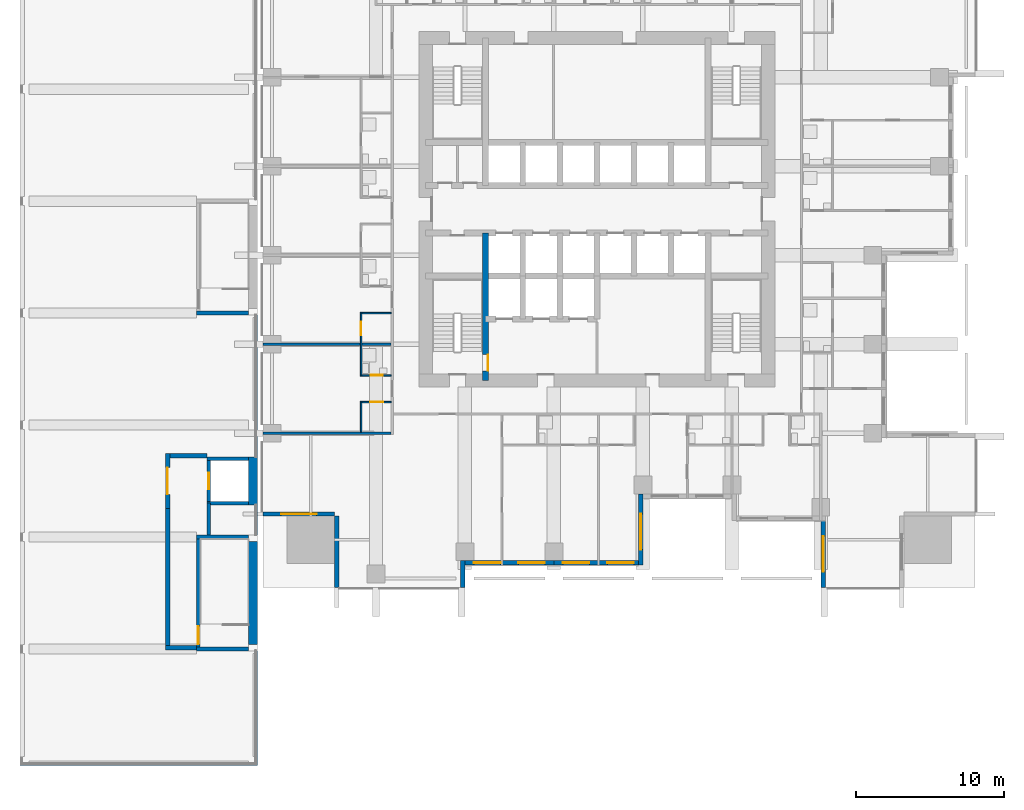
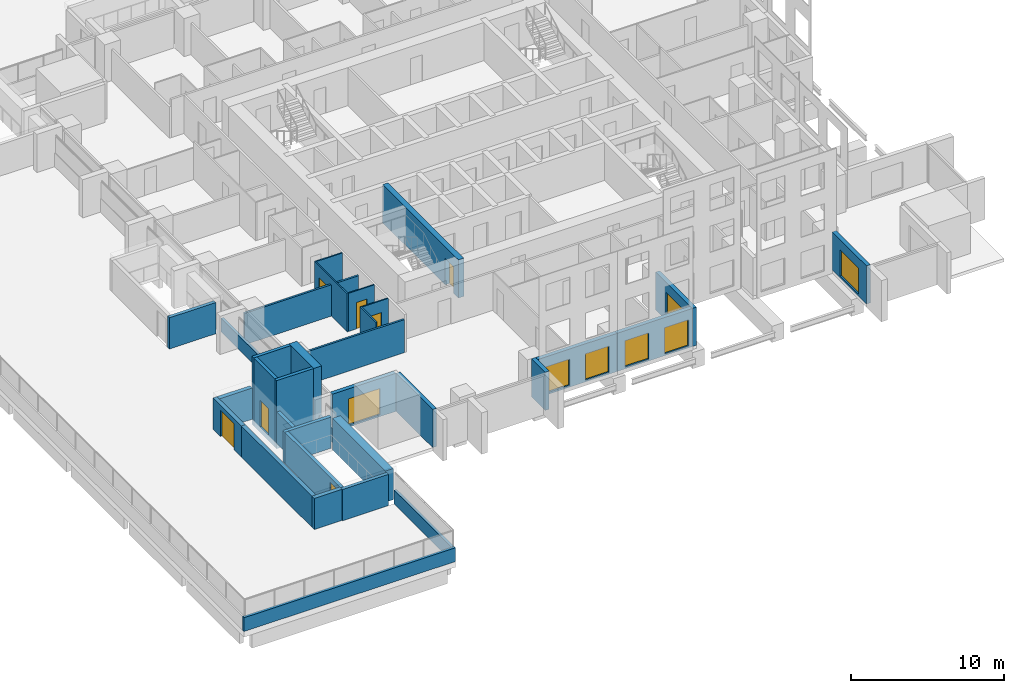
# One storey, part 4 of 15: 33 walls, 7 doors, 7 windows, 14 openings.
"""IFC4 building model written with IfcOpenShell, lengths in metres."""

from ifc_helpers import new_model, si_unit, direction, frame, frame_2d, origin, place, context, subcontext, project, spatial, rectangle, extrude, material, layer, layer_set, type_object, element, fill, save


model = new_model("IFC4")

# Units and contexts
model_context = context("Model", 3, precision=1e-05, world=origin(), true_north=direction((0.0, 1.0)))
body_context = subcontext(model_context, "Body", "Model", "MODEL_VIEW")
ifc_project = project(units=[si_unit("LENGTHUNIT", "METRE"), si_unit("AREAUNIT", "SQUARE_METRE"), si_unit("VOLUMEUNIT", "CUBIC_METRE"), si_unit("PLANEANGLEUNIT", "RADIAN"), si_unit("MASSUNIT", "GRAM", prefix="KILO")], contexts=[model_context])

# Site, building, storey
site_placement = place(None, origin())
site = spatial("IfcSite", under=ifc_project, at=site_placement, CompositionType="ELEMENT")
building_placement = place(site_placement, origin())
building = spatial("IfcBuilding", under=site, at=building_placement, Name="Amberfall Residences", CompositionType="ELEMENT")
storey_placement = place(building_placement, frame((0.0, 0.0, 23.5)))
storey = spatial("IfcBuildingStorey", under=building, at=storey_placement, Name="L05", CompositionType="ELEMENT", Elevation=23.5)

# Wall
ifc_material_1 = material(Name="Pale stone cladding on insulated backing", Category="masonry")
ifc_layer_1 = layer(ifc_material_1, 0.300048828125)
ifc_layer_set_1 = layer_set([ifc_layer_1], Name="Bronze clad wall 300")
wall_type_1 = type_object("IfcWallType", Name="Bronze clad wall 300", PredefinedType="SOLIDWALL", material=ifc_layer_set_1)
wall_1_placement = place(storey_placement, frame((65.449951171875, 20.0, 0.0), z_axis=(0.0, 0.0, 1.0), x_axis=(0.0, 1.0, 0.0)))
element("IfcWall", 1, at=wall_1_placement, inside=storey, type_object=wall_type_1, Name="External wall L05 S", PredefinedType="SOLIDWALL", context=body_context, shape_type="SweptSolid", body=[
    extrude(rectangle(XDim=1.800048828125, YDim=0.300048828125, at=frame_2d((0.89990234375, 0.0))), origin(), (0.0, 0.0, 1.0), 3.050048828125),
])

# Wall, opening, window
wall_2_placement = place(storey_placement, frame((77.449951171875, 21.5, 0.0), z_axis=(0.0, 0.0, 1.0), x_axis=(0.0, 1.0, 0.0)))
wall_2 = element("IfcWall", 2, at=wall_2_placement, inside=storey, type_object=wall_type_1, Name="External wall L05 S", PredefinedType="SOLIDWALL", context=body_context, shape_type="SweptSolid", body=[
    extrude(rectangle(XDim=4.800048828125, YDim=0.300048828125, at=frame_2d((2.39990234375, 0.0))), origin(), (0.0, 0.0, 1.0), 3.050048828125),
])
opening_1_placement = place(wall_2_placement, frame((1.050048828125, 0.0, 0.14990234375)))
opening_1 = element("IfcOpeningElement", 3, at=opening_1_placement, cuts=wall_2, Name="Opening WN5", PredefinedType="OPENING", context=body_context, shape_type="SweptSolid", body=[
    extrude(rectangle(XDim=2.39990234375, YDim=2.10009765625, at=frame_2d((1.199951171875, 1.050048828125))), frame((0.0, 0.159912109375, 0.0), z_axis=(0.0, -1.0, 0.0), x_axis=(1.0, 0.0, 0.0)), (0.0, 0.0, 1.0), 0.320068359375),
])
ifc_material_2 = material(Name="Bronze aluminium framed glazing", Category="aluminium")
window_type_1 = type_object("IfcWindowType", Name="Glazed opening 2400 x 2100 bronze", PartitioningType="DOUBLE_PANEL_VERTICAL", PredefinedType="WINDOW", material=ifc_material_2)
window_1_placement = place(opening_1_placement, origin())
window_1 = element("IfcWindow", 4, at=window_1_placement, inside=storey, type_object=window_type_1, Name="Window L05 S", OverallHeight=2.10009765625, OverallWidth=2.39990234375, PartitioningType="DOUBLE_PANEL_VERTICAL", PredefinedType="WINDOW", context=body_context, shape_type="SweptSolid", body=[
    extrude(rectangle(XDim=2.39990234375, YDim=2.10009765625, at=frame_2d((1.199951171875, 1.050048828125))), frame((0.0, 0.030029296875, 0.0), z_axis=(0.0, -1.0, 0.0), x_axis=(1.0, 0.0, 0.0)), (0.0, 0.0, 1.0), 0.06005859375),
])
fill(opening_1, window_1)

wall_3_placement = place(storey_placement, frame((89.75, 24.5, 0.0), z_axis=(0.0, 0.0, 1.0), x_axis=(0.0, -1.0, 0.0)))
wall_3 = element("IfcWall", 5, at=wall_3_placement, inside=storey, type_object=wall_type_1, Name="External wall L05 S", PredefinedType="SOLIDWALL", context=body_context, shape_type="SweptSolid", body=[
    extrude(rectangle(XDim=4.5, YDim=0.300048828125, at=frame_2d((2.25, 0.0))), origin(), (0.0, 0.0, 1.0), 3.050048828125),
])
opening_2_placement = place(wall_3_placement, frame((1.050048828125, 0.0, 0.14990234375)))
opening_2 = element("IfcOpeningElement", 6, at=opening_2_placement, cuts=wall_3, Name="Opening WN5", PredefinedType="OPENING", context=body_context, shape_type="SweptSolid", body=[
    extrude(rectangle(XDim=2.39990234375, YDim=2.10009765625, at=frame_2d((1.199951171875, 1.050048828125))), frame((0.0, 0.159912109375, 0.0), z_axis=(0.0, -1.0, 0.0), x_axis=(1.0, 0.0, 0.0)), (0.0, 0.0, 1.0), 0.320068359375),
])
window_2_placement = place(opening_2_placement, origin())
window_2 = element("IfcWindow", 7, at=window_2_placement, inside=storey, type_object=window_type_1, Name="Window L05 S", OverallHeight=2.10009765625, OverallWidth=2.39990234375, PartitioningType="DOUBLE_PANEL_VERTICAL", PredefinedType="WINDOW", context=body_context, shape_type="SweptSolid", body=[
    extrude(rectangle(XDim=2.39990234375, YDim=2.10009765625, at=frame_2d((1.199951171875, 1.050048828125))), frame((0.0, 0.030029296875, 0.0), z_axis=(0.0, -1.0, 0.0), x_axis=(1.0, 0.0, 0.0)), (0.0, 0.0, 1.0), 0.06005859375),
])
fill(opening_2, window_2)

wall_4_placement = place(storey_placement, frame((52.0, 24.949951171875, 0.0), z_axis=(0.0, 0.0, 1.0), x_axis=(1.0, 0.0, 0.0)))
wall_4 = element("IfcWall", 8, at=wall_4_placement, inside=storey, type_object=wall_type_1, Name="External wall L05 SW", PredefinedType="SOLIDWALL", context=body_context, shape_type="SweptSolid", body=[
    extrude(rectangle(XDim=4.800048828125, YDim=0.300048828125, at=frame_2d((2.39990234375, 0.0))), origin(), (0.0, 0.0, 1.0), 3.050048828125),
])
opening_3_placement = place(wall_4_placement, frame((1.199951171875, 0.0, 0.14990234375)))
opening_3 = element("IfcOpeningElement", 9, at=opening_3_placement, cuts=wall_4, Name="Opening WN5", PredefinedType="OPENING", context=body_context, shape_type="SweptSolid", body=[
    extrude(rectangle(XDim=2.39990234375, YDim=2.10009765625, at=frame_2d((1.199951171875, 1.050048828125))), frame((0.0, 0.159912109375, 0.0), z_axis=(0.0, -1.0, 0.0), x_axis=(1.0, 0.0, 0.0)), (0.0, 0.0, 1.0), 0.320068359375),
])
window_3_placement = place(opening_3_placement, origin())
window_3 = element("IfcWindow", 10, at=window_3_placement, inside=storey, type_object=window_type_1, Name="Window L05 SW", OverallHeight=2.10009765625, OverallWidth=2.39990234375, PartitioningType="DOUBLE_PANEL_VERTICAL", PredefinedType="WINDOW", context=body_context, shape_type="SweptSolid", body=[
    extrude(rectangle(XDim=2.39990234375, YDim=2.10009765625, at=frame_2d((1.199951171875, 1.050048828125))), frame((0.0, 0.030029296875, 0.0), z_axis=(0.0, -1.0, 0.0), x_axis=(1.0, 0.0, 0.0)), (0.0, 0.0, 1.0), 0.06005859375),
])
fill(opening_3, window_3)

# Wall
wall_5_placement = place(storey_placement, frame((56.949951171875, 24.800048828125, 0.0), z_axis=(0.0, 0.0, 1.0), x_axis=(0.0, -1.0, 0.0)))
element("IfcWall", 11, at=wall_5_placement, inside=storey, type_object=wall_type_1, Name="External wall L05 SW", PredefinedType="SOLIDWALL", context=body_context, shape_type="SweptSolid", body=[
    extrude(rectangle(XDim=4.800048828125, YDim=0.300048828125, at=frame_2d((2.39990234375, 0.0))), origin(), (0.0, 0.0, 1.0), 3.050048828125),
])

# Wall, openings, windows
wall_6_placement = place(storey_placement, frame((65.60009765625, 21.64990234375, 0.0), z_axis=(0.0, 0.0, 1.0), x_axis=(1.0, 0.0, 0.0)))
wall_6 = element("IfcWall", 12, at=wall_6_placement, inside=storey, type_object=wall_type_1, Name="Stone wall L05 S", PredefinedType="SOLIDWALL", context=body_context, shape_type="SweptSolid", body=[
    extrude(rectangle(XDim=6.0, YDim=0.300048828125, at=frame_2d((3.0, 0.0))), origin(), (0.0, 0.0, 1.0), 3.050048828125),
])
opening_4_placement = place(wall_6_placement, frame((0.60009765625, 0.0, 0.14990234375)))
opening_4 = element("IfcOpeningElement", 13, at=opening_4_placement, cuts=wall_6, Name="Opening WN6", PredefinedType="OPENING", context=body_context, shape_type="SweptSolid", body=[
    extrude(rectangle(XDim=1.800048828125, YDim=2.10009765625, at=frame_2d((0.89990234375, 1.050048828125))), frame((0.0, 0.159912109375, 0.0), z_axis=(0.0, -1.0, 0.0), x_axis=(1.0, 0.0, 0.0)), (0.0, 0.0, 1.0), 0.320068359375),
])
opening_5_placement = place(wall_6_placement, frame((3.60009765625, 0.0, 0.14990234375)))
opening_5 = element("IfcOpeningElement", 14, at=opening_5_placement, cuts=wall_6, Name="Opening WN6", PredefinedType="OPENING", context=body_context, shape_type="SweptSolid", body=[
    extrude(rectangle(XDim=1.800048828125, YDim=2.10009765625, at=frame_2d((0.89990234375, 1.050048828125))), frame((0.0, 0.159912109375, 0.0), z_axis=(0.0, -1.0, 0.0), x_axis=(1.0, 0.0, 0.0)), (0.0, 0.0, 1.0), 0.320068359375),
])
window_type_2 = type_object("IfcWindowType", Name="Glazed opening 1800 x 2100 bronze", PartitioningType="DOUBLE_PANEL_VERTICAL", PredefinedType="WINDOW", material=ifc_material_2)
window_4_placement = place(opening_4_placement, origin())
window_4 = element("IfcWindow", 15, at=window_4_placement, inside=storey, type_object=window_type_2, Name="Window L05 S", OverallHeight=2.10009765625, OverallWidth=1.800048828125, PartitioningType="DOUBLE_PANEL_VERTICAL", PredefinedType="WINDOW", context=body_context, shape_type="SweptSolid", body=[
    extrude(rectangle(XDim=1.800048828125, YDim=2.10009765625, at=frame_2d((0.89990234375, 1.050048828125))), frame((0.0, 0.030029296875, 0.0), z_axis=(0.0, -1.0, 0.0), x_axis=(1.0, 0.0, 0.0)), (0.0, 0.0, 1.0), 0.06005859375),
])
fill(opening_4, window_4)
window_5_placement = place(opening_5_placement, origin())
window_5 = element("IfcWindow", 16, at=window_5_placement, inside=storey, type_object=window_type_2, Name="Window L05 S", OverallHeight=2.10009765625, OverallWidth=1.800048828125, PartitioningType="DOUBLE_PANEL_VERTICAL", PredefinedType="WINDOW", context=body_context, shape_type="SweptSolid", body=[
    extrude(rectangle(XDim=1.800048828125, YDim=2.10009765625, at=frame_2d((0.89990234375, 1.050048828125))), frame((0.0, 0.030029296875, 0.0), z_axis=(0.0, -1.0, 0.0), x_axis=(1.0, 0.0, 0.0)), (0.0, 0.0, 1.0), 0.06005859375),
])
fill(opening_5, window_5)

wall_7_placement = place(storey_placement, frame((71.60009765625, 21.64990234375, 0.0), z_axis=(0.0, 0.0, 1.0), x_axis=(1.0, 0.0, 0.0)))
wall_7 = element("IfcWall", 17, at=wall_7_placement, inside=storey, type_object=wall_type_1, Name="Stone wall L05 S", PredefinedType="SOLIDWALL", context=body_context, shape_type="SweptSolid", body=[
    extrude(rectangle(XDim=5.699951171875, YDim=0.300048828125, at=frame_2d((2.85009765625, 0.0))), origin(), (0.0, 0.0, 1.0), 3.050048828125),
])
opening_6_placement = place(wall_7_placement, frame((0.60009765625, 0.0, 0.14990234375)))
opening_6 = element("IfcOpeningElement", 18, at=opening_6_placement, cuts=wall_7, Name="Opening WN6", PredefinedType="OPENING", context=body_context, shape_type="SweptSolid", body=[
    extrude(rectangle(XDim=1.800048828125, YDim=2.10009765625, at=frame_2d((0.89990234375, 1.050048828125))), frame((0.0, 0.159912109375, 0.0), z_axis=(0.0, -1.0, 0.0), x_axis=(1.0, 0.0, 0.0)), (0.0, 0.0, 1.0), 0.320068359375),
])
opening_7_placement = place(wall_7_placement, frame((3.60009765625, 0.0, 0.14990234375)))
opening_7 = element("IfcOpeningElement", 19, at=opening_7_placement, cuts=wall_7, Name="Opening WN6", PredefinedType="OPENING", context=body_context, shape_type="SweptSolid", body=[
    extrude(rectangle(XDim=1.800048828125, YDim=2.10009765625, at=frame_2d((0.89990234375, 1.050048828125))), frame((0.0, 0.159912109375, 0.0), z_axis=(0.0, -1.0, 0.0), x_axis=(1.0, 0.0, 0.0)), (0.0, 0.0, 1.0), 0.320068359375),
])
window_6_placement = place(opening_6_placement, origin())
window_6 = element("IfcWindow", 20, at=window_6_placement, inside=storey, type_object=window_type_2, Name="Window L05 S", OverallHeight=2.10009765625, OverallWidth=1.800048828125, PartitioningType="DOUBLE_PANEL_VERTICAL", PredefinedType="WINDOW", context=body_context, shape_type="SweptSolid", body=[
    extrude(rectangle(XDim=1.800048828125, YDim=2.10009765625, at=frame_2d((0.89990234375, 1.050048828125))), frame((0.0, 0.030029296875, 0.0), z_axis=(0.0, -1.0, 0.0), x_axis=(1.0, 0.0, 0.0)), (0.0, 0.0, 1.0), 0.06005859375),
])
fill(opening_6, window_6)
window_7_placement = place(opening_7_placement, origin())
window_7 = element("IfcWindow", 21, at=window_7_placement, inside=storey, type_object=window_type_2, Name="Window L05 S", OverallHeight=2.10009765625, OverallWidth=1.800048828125, PartitioningType="DOUBLE_PANEL_VERTICAL", PredefinedType="WINDOW", context=body_context, shape_type="SweptSolid", body=[
    extrude(rectangle(XDim=1.800048828125, YDim=2.10009765625, at=frame_2d((0.89990234375, 1.050048828125))), frame((0.0, 0.030029296875, 0.0), z_axis=(0.0, -1.0, 0.0), x_axis=(1.0, 0.0, 0.0)), (0.0, 0.0, 1.0), 0.06005859375),
])
fill(opening_7, window_7)

# Wall, opening, door
ifc_material_3 = material(Name="Concrete C80", Category="concrete")
ifc_layer_2 = layer(ifc_material_3, 0.39990234375)
ifc_layer_set_2 = layer_set([ifc_layer_2], Name="Core wall 400 C80")
wall_type_2 = type_object("IfcWallType", Name="Core wall 400 C80", PredefinedType="SHEAR", material=ifc_layer_set_2)
wall_8_placement = place(storey_placement, frame((67.0, 33.949951171875, 0.0), z_axis=(0.0, 0.0, 1.0), x_axis=(0.0, 1.0, 0.0)))
wall_8 = element("IfcWall", 22, at=wall_8_placement, inside=storey, type_object=wall_type_2, Name="Core wall RW2 L05 V45S", PredefinedType="SHEAR", context=body_context, shape_type="SweptSolid", body=[
    extrude(rectangle(XDim=9.949951171875, YDim=0.39990234375, at=frame_2d((4.97509765625, 0.0))), origin(), (0.0, 0.0, 1.0), 3.050048828125),
])
opening_8_placement = place(wall_8_placement, frame((0.64990234375, 0.0, 0.0)))
opening_8 = element("IfcOpeningElement", 23, at=opening_8_placement, cuts=wall_8, Name="Opening FL1", PredefinedType="OPENING", context=body_context, shape_type="SweptSolid", body=[
    extrude(rectangle(XDim=1.10009765625, YDim=2.10009765625, at=frame_2d((0.550048828125, 1.050048828125))), frame((0.0, 0.2099609375, 0.0), z_axis=(0.0, -1.0, 0.0), x_axis=(1.0, 0.0, 0.0)), (0.0, 0.0, 1.0), 0.419921875),
])
ifc_material_4 = material(Name="Steel fire door set", Category="steel")
door_type_1 = type_object("IfcDoorType", Name="Firefighting lobby door 1100 x 2100", OperationType="SINGLE_SWING_LEFT", PredefinedType="DOOR", material=ifc_material_4)
door_1_placement = place(opening_8_placement, origin())
door_1 = element("IfcDoor", 24, at=door_1_placement, inside=storey, type_object=door_type_1, Name="FL1 L05", OperationType="SINGLE_SWING_RIGHT", OverallHeight=2.10009765625, OverallWidth=1.10009765625, PredefinedType="DOOR", context=body_context, shape_type="SweptSolid", body=[
    extrude(rectangle(XDim=1.10009765625, YDim=2.10009765625, at=frame_2d((0.550048828125, 1.050048828125))), frame((0.0, -0.1376953125, 0.0), z_axis=(0.0, -1.0, 0.0), x_axis=(1.0, 0.0, 0.0)), (0.0, 0.0, 1.0), 0.050048828125),
])
fill(opening_8, door_1)

# Wall
ifc_material_5 = material(Name="Gypsum board on metal stud")
ifc_layer_3 = layer(ifc_material_5, 0.10009765625)
ifc_layer_set_3 = layer_set([ifc_layer_3], Name="Flat partition 100")
wall_type_3 = type_object("IfcWallType", Name="Flat partition 100", PredefinedType="PARTITIONING", material=ifc_layer_set_3)
wall_9_placement = place(storey_placement, frame((58.60009765625, 30.47509765625, 0.0), z_axis=(0.0, 0.0, 1.0), x_axis=(0.0, 1.0, 0.0)))
element("IfcWall", 25, at=wall_9_placement, inside=storey, type_object=wall_type_3, Name="Partition 001", PredefinedType="PARTITIONING", context=body_context, shape_type="SweptSolid", body=[
    extrude(rectangle(XDim=2.074951171875, YDim=0.10009765625, at=frame_2d((1.03759765625, 0.0))), origin(), (0.0, 0.0, 1.0), 3.050048828125),
])

# Wall, opening, door
wall_10_placement = place(storey_placement, frame((58.60009765625, 38.550048828125, 0.0), z_axis=(0.0, 0.0, 1.0), x_axis=(0.0, -1.0, 0.0)))
wall_10 = element("IfcWall", 26, at=wall_10_placement, inside=storey, type_object=wall_type_3, Name="Partition 002", PredefinedType="PARTITIONING", context=body_context, shape_type="SweptSolid", body=[
    extrude(rectangle(XDim=4.300048828125, YDim=0.10009765625, at=frame_2d((2.14990234375, 0.0))), origin(), (0.0, 0.0, 1.0), 3.050048828125),
])
opening_9_placement = place(wall_10_placement, frame((0.64990234375, 0.0, 0.0)))
opening_9 = element("IfcOpeningElement", 27, at=opening_9_placement, cuts=wall_10, Name="Opening D41", PredefinedType="OPENING", context=body_context, shape_type="SweptSolid", body=[
    extrude(rectangle(XDim=0.89990234375, YDim=2.10009765625, at=frame_2d((0.449951171875, 1.050048828125))), frame((0.0, 0.06005859375, 0.0), z_axis=(0.0, -1.0, 0.0), x_axis=(1.0, 0.0, 0.0)), (0.0, 0.0, 1.0), 0.1201171875),
])
ifc_material_6 = material(Name="Timber", Category="wood")
door_type_2 = type_object("IfcDoorType", Name="Internal door 900 x 2100", OperationType="SINGLE_SWING_LEFT", PredefinedType="DOOR", material=ifc_material_6)
door_2_placement = place(opening_9_placement, origin())
door_2 = element("IfcDoor", 28, at=door_2_placement, inside=storey, type_object=door_type_2, Name="Door 0512 kitchen", OperationType="SINGLE_SWING_LEFT", OverallHeight=2.10009765625, OverallWidth=0.89990234375, PredefinedType="DOOR", context=body_context, shape_type="SweptSolid", body=[
    extrude(rectangle(XDim=0.89990234375, YDim=2.10009765625, at=frame_2d((0.449951171875, 1.050048828125))), frame((0.0, 0.02490234375, 0.0), z_axis=(0.0, -1.0, 0.0), x_axis=(1.0, 0.0, 0.0)), (0.0, 0.0, 1.0), 0.050048828125),
])
fill(opening_9, door_2)

# Wall
wall_11_placement = place(storey_placement, frame((58.64990234375, 38.5, 0.0), z_axis=(0.0, 0.0, 1.0), x_axis=(1.0, 0.0, 0.0)))
element("IfcWall", 29, at=wall_11_placement, inside=storey, type_object=wall_type_3, Name="Partition 036", PredefinedType="PARTITIONING", context=body_context, shape_type="SweptSolid", body=[
    extrude(rectangle(XDim=1.97509765625, YDim=0.10009765625, at=frame_2d((0.987548828125, 0.0))), origin(), (0.0, 0.0, 1.0), 3.050048828125),
])

# Wall, opening, door
wall_12_placement = place(storey_placement, frame((58.64990234375, 34.300048828125, 0.0), z_axis=(0.0, 0.0, 1.0), x_axis=(1.0, 0.0, 0.0)))
wall_12 = element("IfcWall", 30, at=wall_12_placement, inside=storey, type_object=wall_type_3, Name="Partition 038", PredefinedType="PARTITIONING", context=body_context, shape_type="SweptSolid", body=[
    extrude(rectangle(XDim=1.97509765625, YDim=0.10009765625, at=frame_2d((0.987548828125, 0.0))), origin(), (0.0, 0.0, 1.0), 3.050048828125),
])
opening_10_placement = place(wall_12_placement, frame((0.60009765625, 0.0, 0.0)))
opening_10 = element("IfcOpeningElement", 31, at=opening_10_placement, cuts=wall_12, Name="Opening D42", PredefinedType="OPENING", context=body_context, shape_type="SweptSolid", body=[
    extrude(rectangle(XDim=0.800048828125, YDim=2.10009765625, at=frame_2d((0.39990234375, 1.050048828125))), frame((0.0, 0.06005859375, 0.0), z_axis=(0.0, -1.0, 0.0), x_axis=(1.0, 0.0, 0.0)), (0.0, 0.0, 1.0), 0.1201171875),
])
door_type_3 = type_object("IfcDoorType", Name="Bathroom door 800 x 2100", OperationType="SINGLE_SWING_LEFT", PredefinedType="DOOR", material=ifc_material_6)
door_3_placement = place(opening_10_placement, origin())
door_3 = element("IfcDoor", 32, at=door_3_placement, inside=storey, type_object=door_type_3, Name="Door 0511 bath1", OperationType="SINGLE_SWING_LEFT", OverallHeight=2.10009765625, OverallWidth=0.800048828125, PredefinedType="DOOR", context=body_context, shape_type="SweptSolid", body=[
    extrude(rectangle(XDim=0.800048828125, YDim=2.10009765625, at=frame_2d((0.39990234375, 1.050048828125))), frame((0.0, 0.02490234375, 0.0), z_axis=(0.0, -1.0, 0.0), x_axis=(1.0, 0.0, 0.0)), (0.0, 0.0, 1.0), 0.050048828125),
])
fill(opening_10, door_3)

wall_13_placement = place(storey_placement, frame((60.625, 32.5, 0.0), z_axis=(0.0, 0.0, 1.0), x_axis=(-1.0, 0.0, 0.0)))
wall_13 = element("IfcWall", 33, at=wall_13_placement, inside=storey, type_object=wall_type_3, Name="Partition 040", PredefinedType="PARTITIONING", context=body_context, shape_type="SweptSolid", body=[
    extrude(rectangle(XDim=1.97509765625, YDim=0.10009765625, at=frame_2d((0.987548828125, 0.0))), origin(), (0.0, 0.0, 1.0), 3.050048828125),
])
opening_11_placement = place(wall_13_placement, frame((0.52490234375, 0.0, 0.0)))
opening_11 = element("IfcOpeningElement", 34, at=opening_11_placement, cuts=wall_13, Name="Opening D41", PredefinedType="OPENING", context=body_context, shape_type="SweptSolid", body=[
    extrude(rectangle(XDim=0.89990234375, YDim=2.10009765625, at=frame_2d((0.449951171875, 1.050048828125))), frame((0.0, 0.06005859375, 0.0), z_axis=(0.0, -1.0, 0.0), x_axis=(1.0, 0.0, 0.0)), (0.0, 0.0, 1.0), 0.1201171875),
])
door_4_placement = place(opening_11_placement, origin())
door_4 = element("IfcDoor", 35, at=door_4_placement, inside=storey, type_object=door_type_2, Name="Door 0511 kitchen", OperationType="SINGLE_SWING_LEFT", OverallHeight=2.10009765625, OverallWidth=0.89990234375, PredefinedType="DOOR", context=body_context, shape_type="SweptSolid", body=[
    extrude(rectangle(XDim=0.89990234375, YDim=2.10009765625, at=frame_2d((0.449951171875, 1.050048828125))), frame((0.0, 0.02490234375, 0.0), z_axis=(0.0, -1.0, 0.0), x_axis=(1.0, 0.0, 0.0)), (0.0, 0.0, 1.0), 0.050048828125),
])
fill(opening_11, door_4)

# Walls
ifc_material_7 = material(Name="Blockwork, plastered", Category="masonry")
ifc_layer_4 = layer(ifc_material_7, 0.14990234375)
ifc_layer_set_4 = layer_set([ifc_layer_4], Name="Flat separating wall 150")
wall_type_4 = type_object("IfcWallType", Name="Flat separating wall 150", PredefinedType="PARTITIONING", material=ifc_layer_set_4)
wall_14_placement = place(storey_placement, frame((52.0, 36.39990234375, 0.0), z_axis=(0.0, 0.0, 1.0), x_axis=(1.0, 0.0, 0.0)))
element("IfcWall", 36, at=wall_14_placement, inside=storey, type_object=wall_type_4, Name="Separating wall 059", PredefinedType="PARTITIONING", context=body_context, shape_type="SweptSolid", body=[
    extrude(rectangle(XDim=8.625, YDim=0.14990234375, at=frame_2d((4.3125, 0.0))), origin(), (0.0, 0.0, 1.0), 2.51611328125),
])
wall_15_placement = place(storey_placement, frame((52.0, 30.39990234375, 0.0), z_axis=(0.0, 0.0, 1.0), x_axis=(1.0, 0.0, 0.0)))
element("IfcWall", 37, at=wall_15_placement, inside=storey, type_object=wall_type_4, Name="Separating wall 061", PredefinedType="PARTITIONING", context=body_context, shape_type="SweptSolid", body=[
    extrude(rectangle(XDim=8.625, YDim=0.14990234375, at=frame_2d((4.3125, 0.0))), origin(), (0.0, 0.0, 1.0), 2.64697265625),
])

# Wall, opening, door
ifc_material_8 = material(Name="Concrete C40", Category="concrete")
ifc_layer_5 = layer(ifc_material_8, 0.300048828125)
ifc_layer_set_5 = layer_set([ifc_layer_5], Name="School roof lobby wall 300 C40")
wall_type_5 = type_object("IfcWallType", Name="School roof lobby wall 300 C40", PredefinedType="SOLIDWALL", material=ifc_layer_set_5)
wall_16_placement = place(storey_placement, frame((45.550048828125, 25.324951171875, 0.0), z_axis=(0.0, 0.0, 1.0), x_axis=(0.0, 1.0, 0.0)))
wall_16 = element("IfcWall", 38, at=wall_16_placement, inside=storey, type_object=wall_type_5, Name="School roof lobby west wall", PredefinedType="SOLIDWALL", context=body_context, shape_type="SweptSolid", body=[
    extrude(rectangle(XDim=3.699951171875, YDim=0.300048828125, at=frame_2d((1.85009765625, 0.0))), origin(), (0.0, 0.0, 1.0), 2.5),
])
opening_12_placement = place(wall_16_placement, frame((0.949951171875, 0.0, 0.0)))
opening_12 = element("IfcOpeningElement", 39, at=opening_12_placement, cuts=wall_16, Name="Opening SD3", PredefinedType="OPENING", context=body_context, shape_type="SweptSolid", body=[
    extrude(rectangle(XDim=1.800048828125, YDim=2.10009765625, at=frame_2d((0.89990234375, 1.050048828125))), frame((0.0, 0.159912109375, 0.0), z_axis=(0.0, -1.0, 0.0), x_axis=(1.0, 0.0, 0.0)), (0.0, 0.0, 1.0), 0.320068359375),
])
ifc_material_9 = material(Name="Timber door", Category="wood")
door_type_4 = type_object("IfcDoorType", Name="School double door 1800 x 2100", OperationType="DOUBLE_DOOR_SINGLE_SWING", PredefinedType="DOOR", material=ifc_material_9)
door_5_placement = place(opening_12_placement, origin())
door_5 = element("IfcDoor", 40, at=door_5_placement, inside=storey, type_object=door_type_4, Name="School roof lobby door", OperationType="DOUBLE_DOOR_SINGLE_SWING", OverallHeight=2.10009765625, OverallWidth=1.800048828125, PredefinedType="DOOR", context=body_context, shape_type="SweptSolid", body=[
    extrude(rectangle(XDim=1.800048828125, YDim=2.10009765625, at=frame_2d((0.89990234375, 1.050048828125))), frame((0.0, 0.02490234375, 0.0), z_axis=(0.0, -1.0, 0.0), x_axis=(1.0, 0.0, 0.0)), (0.0, 0.0, 1.0), 0.050048828125),
])
fill(opening_12, door_5)

# Walls
wall_17_placement = place(storey_placement, frame((45.699951171875, 28.875, 0.0), z_axis=(0.0, 0.0, 1.0), x_axis=(1.0, 0.0, 0.0)))
element("IfcWall", 41, at=wall_17_placement, inside=storey, type_object=wall_type_5, Name="School roof lobby north wall", PredefinedType="SOLIDWALL", context=body_context, shape_type="SweptSolid", body=[
    extrude(rectangle(XDim=2.5, YDim=0.300048828125, at=frame_2d((1.25, 0.0))), origin(), (0.0, 0.0, 1.0), 2.5),
])
wall_18_placement = place(storey_placement, frame((45.550048828125, 16.074951171875, 0.0), z_axis=(0.0, 0.0, 1.0), x_axis=(0.0, 1.0, 0.0)))
element("IfcWall", 42, at=wall_18_placement, inside=storey, type_object=wall_type_5, Name="School roof corridor west wall", PredefinedType="SOLIDWALL", context=body_context, shape_type="SweptSolid", body=[
    extrude(rectangle(XDim=9.25, YDim=0.300048828125, at=frame_2d((4.625, 0.0))), origin(), (0.0, 0.0, 1.0), 2.5),
])
wall_19_placement = place(storey_placement, frame((45.39990234375, 15.925048828125, 0.0), z_axis=(0.0, 0.0, 1.0), x_axis=(1.0, 0.0, 0.0)))
element("IfcWall", 43, at=wall_19_placement, inside=storey, type_object=wall_type_5, Name="School roof corridor end wall", PredefinedType="SOLIDWALL", context=body_context, shape_type="SweptSolid", body=[
    extrude(rectangle(XDim=2.10009765625, YDim=0.300048828125, at=frame_2d((1.050048828125, 0.0))), origin(), (0.0, 0.0, 1.0), 2.5),
])
ifc_material_10 = material(Name="Brick masonry", Category="masonry")
ifc_layer_6 = layer(ifc_material_10, 0.199951171875)
ifc_layer_set_6 = layer_set([ifc_layer_6], Name="School roof parapet 200")
wall_type_6 = type_object("IfcWallType", Name="School roof parapet 200", PredefinedType="PARAPET", material=ifc_layer_set_6)
wall_20_placement = place(storey_placement, frame((35.60009765625, 8.10009765625, 0.0), z_axis=(0.0, 0.0, 1.0), x_axis=(1.0, 0.0, 0.0)))
element("IfcWall", 44, at=wall_20_placement, inside=storey, type_object=wall_type_6, Name="School roof parapet", PredefinedType="PARAPET", context=body_context, shape_type="SweptSolid", body=[
    extrude(rectangle(XDim=16.0, YDim=0.199951171875, at=frame_2d((8.0, 0.0))), origin(), (0.0, 0.0, 1.0), 1.10009765625),
])
wall_21_placement = place(storey_placement, frame((51.5, 8.199951171875, 0.0), z_axis=(0.0, 0.0, 1.0), x_axis=(0.0, 1.0, 0.0)))
element("IfcWall", 45, at=wall_21_placement, inside=storey, type_object=wall_type_6, Name="School roof parapet", PredefinedType="PARAPET", context=body_context, shape_type="SweptSolid", body=[
    extrude(rectangle(XDim=7.525146484375, YDim=0.199951171875, at=frame_2d((3.7626953125, 0.0))), origin(), (0.0, 0.0, 1.0), 1.10009765625),
])
wall_22_placement = place(storey_placement, frame((51.5, 23.52490234375, 0.0), z_axis=(0.0, 0.0, 1.0), x_axis=(0.0, 1.0, 0.0)))
element("IfcWall", 46, at=wall_22_placement, inside=storey, type_object=wall_type_6, Name="School roof parapet", PredefinedType="PARAPET", context=body_context, shape_type="SweptSolid", body=[
    extrude(rectangle(XDim=2.025146484375, YDim=0.199951171875, at=frame_2d((1.0126953125, 0.0))), origin(), (0.0, 0.0, 1.0), 1.10009765625),
])
wall_23_placement = place(storey_placement, frame((51.5, 28.800048828125, 0.0), z_axis=(0.0, 0.0, 1.0), x_axis=(0.0, 1.0, 0.0)))
element("IfcWall", 47, at=wall_23_placement, inside=storey, type_object=wall_type_6, Name="School roof parapet", PredefinedType="PARAPET", context=body_context, shape_type="SweptSolid", body=[
    extrude(rectangle(XDim=9.574951171875, YDim=0.199951171875, at=frame_2d((4.78759765625, 0.0))), origin(), (0.0, 0.0, 1.0), 1.10009765625),
])

# Wall, opening, door
ifc_material_11 = material(Name="Concrete C50", Category="concrete")
ifc_layer_7 = layer(ifc_material_11, 0.25)
ifc_layer_set_7 = layer_set([ifc_layer_7], Name="School stair core wall 250 C50")
wall_type_7 = type_object("IfcWallType", Name="School stair core wall 250 C50", PredefinedType="SHEAR", material=ifc_layer_set_7)
wall_24_placement = place(storey_placement, frame((48.324951171875, 25.675048828125, -0.449951171875), z_axis=(0.0, 0.0, 1.0), x_axis=(0.0, 1.0, 0.0)))
wall_24 = element("IfcWall", 48, at=wall_24_placement, inside=storey, type_object=wall_type_7, Name="School lift housing wall LFW", PredefinedType="SHEAR", context=body_context, shape_type="SweptSolid", body=[
    extrude(rectangle(XDim=3.0, YDim=0.25, at=frame_2d((1.5, 0.0))), origin(), (0.0, 0.0, 1.0), 5.449951171875),
])
opening_13_placement = place(wall_24_placement, frame((0.949951171875, 0.0, 0.449951171875)))
opening_13 = element("IfcOpeningElement", 49, at=opening_13_placement, cuts=wall_24, Name="Opening SLD1", PredefinedType="OPENING", context=body_context, shape_type="SweptSolid", body=[
    extrude(rectangle(XDim=1.10009765625, YDim=2.10009765625, at=frame_2d((0.550048828125, 1.050048828125))), frame((0.0, 0.135009765625, 0.0), z_axis=(0.0, -1.0, 0.0), x_axis=(1.0, 0.0, 0.0)), (0.0, 0.0, 1.0), 0.27001953125),
])
ifc_material_12 = material(Name="Stainless steel door", Category="steel")
door_type_5 = type_object("IfcDoorType", Name="School lift landing door 1100 x 2100", OperationType="SLIDING_TO_LEFT", PredefinedType="DOOR", material=ifc_material_12)
door_6_placement = place(opening_13_placement, origin())
door_6 = element("IfcDoor", 50, at=door_6_placement, inside=storey, type_object=door_type_5, Name="Landing door L05 LS1", OperationType="SLIDING_TO_LEFT", OverallHeight=2.10009765625, OverallWidth=1.10009765625, PredefinedType="DOOR", context=body_context, shape_type="SweptSolid", body=[
    extrude(rectangle(XDim=1.10009765625, YDim=2.10009765625, at=frame_2d((0.550048828125, 1.050048828125))), frame((0.0, 0.02490234375, 0.0), z_axis=(0.0, -1.0, 0.0), x_axis=(1.0, 0.0, 0.0)), (0.0, 0.0, 1.0), 0.050048828125),
])
fill(opening_13, door_6)

# Walls
for number, where, z_axis, x_axis, name in (
    (51, (48.199951171875, 25.675048828125, -0.449951171875), (0.0, 0.0, 1.0), (1.0, 0.0, 0.0), "School lift housing wall LFS"),
    (52, (48.199951171875, 28.675048828125, -0.449951171875), (0.0, 0.0, 1.0), (1.0, 0.0, 0.0), "School lift housing wall LFN"),
):
    element("IfcWall", number, at=place(storey_placement, frame(where, z_axis=z_axis, x_axis=x_axis)), inside=storey, type_object=wall_type_7, Name=name, PredefinedType="SHEAR", context=body_context, shape_type="SweptSolid", body=[
        extrude(rectangle(XDim=2.800048828125, YDim=0.25, at=frame_2d((1.39990234375, 0.0))), origin(), (0.0, 0.0, 1.0), 5.449951171875),
    ])
wall_25_placement = place(storey_placement, frame((48.324951171875, 23.52490234375, 0.0), z_axis=(0.0, 0.0, 1.0), x_axis=(0.0, 1.0, 0.0)))
element("IfcWall", 53, at=wall_25_placement, inside=storey, type_object=wall_type_7, Name="School roof corridor east wall", PredefinedType="SHEAR", context=body_context, shape_type="SweptSolid", body=[
    extrude(rectangle(XDim=2.150146484375, YDim=0.25, at=frame_2d((1.0751953125, 0.0))), origin(), (0.0, 0.0, 1.0), 2.5),
])

# Wall, opening, door
wall_26_placement = place(storey_placement, frame((47.625, 15.97509765625, 0.0), z_axis=(0.0, 0.0, 1.0), x_axis=(0.0, 1.0, 0.0)))
wall_26 = element("IfcWall", 54, at=wall_26_placement, inside=storey, type_object=wall_type_7, Name="School stair head house wall SS1W", PredefinedType="SHEAR", context=body_context, shape_type="SweptSolid", body=[
    extrude(rectangle(XDim=7.2998046875, YDim=0.25, at=frame_2d((3.64990234375, 0.0))), origin(), (0.0, 0.0, 1.0), 2.5),
])
opening_14_placement = place(wall_26_placement, frame((0.199951171875, 0.0, 0.0)))
opening_14 = element("IfcOpeningElement", 55, at=opening_14_placement, cuts=wall_26, Name="Opening SD4", PredefinedType="OPENING", context=body_context, shape_type="SweptSolid", body=[
    extrude(rectangle(XDim=1.199951171875, YDim=2.10009765625, at=frame_2d((0.60009765625, 1.050048828125))), frame((0.0, 0.135009765625, 0.0), z_axis=(0.0, -1.0, 0.0), x_axis=(1.0, 0.0, 0.0)), (0.0, 0.0, 1.0), 0.27001953125),
])
ifc_material_13 = material(Name="Steel fire door", Category="steel")
door_type_6 = type_object("IfcDoorType", Name="School stair door 1200 x 2100 FD120", OperationType="SINGLE_SWING_LEFT", PredefinedType="DOOR", material=ifc_material_13)
door_7_placement = place(opening_14_placement, origin())
door_7 = element("IfcDoor", 56, at=door_7_placement, inside=storey, type_object=door_type_6, Name="School stair head door SS1", OperationType="SINGLE_SWING_LEFT", OverallHeight=2.10009765625, OverallWidth=1.199951171875, PredefinedType="DOOR", context=body_context, shape_type="SweptSolid", body=[
    extrude(rectangle(XDim=1.199951171875, YDim=2.10009765625, at=frame_2d((0.60009765625, 1.050048828125))), frame((0.0, 0.02490234375, 0.0), z_axis=(0.0, -1.0, 0.0), x_axis=(1.0, 0.0, 0.0)), (0.0, 0.0, 1.0), 0.050048828125),
])
fill(opening_14, door_7)

# Walls
for number, where, z_axis, x_axis, name in (
    (57, (47.5, 15.85009765625, 0.0), (0.0, 0.0, 1.0), (1.0, 0.0, 0.0), "School stair head house wall SS1S"),
    (58, (47.5, 23.39990234375, 0.0), (0.0, 0.0, 1.0), (1.0, 0.0, 0.0), "School stair head house wall SS1N"),
    (59, (47.5, 38.5, 0.0), (0.0, 0.0, 1.0), (1.0, 0.0, 0.0), "School stair head house wall SS2S"),
):
    element("IfcWall", number, at=place(storey_placement, frame(where, z_axis=z_axis, x_axis=x_axis)), inside=storey, type_object=wall_type_7, Name=name, PredefinedType="SHEAR", context=body_context, shape_type="SweptSolid", body=[
        extrude(rectangle(XDim=3.5, YDim=0.25, at=frame_2d((1.75, 0.0))), origin(), (0.0, 0.0, 1.0), 2.5),
    ])
ifc_layer_8 = layer(ifc_material_11, 0.60009765625)
ifc_layer_set_8 = layer_set([ifc_layer_8], Name="School tower-side core wall 600 C50")
wall_type_8 = type_object("IfcWallType", Name="School tower-side core wall 600 C50", PredefinedType="SHEAR", material=ifc_layer_set_8)
wall_27_placement = place(storey_placement, frame((51.300048828125, 25.550048828125, -0.449951171875), z_axis=(0.0, 0.0, 1.0), x_axis=(0.0, 1.0, 0.0)))
element("IfcWall", 60, at=wall_27_placement, inside=storey, type_object=wall_type_8, Name="School lift housing wall LFE", PredefinedType="SHEAR", context=body_context, shape_type="SweptSolid", body=[
    extrude(rectangle(XDim=3.25, YDim=0.60009765625, at=frame_2d((1.625, 0.0))), origin(), (0.0, 0.0, 1.0), 5.449951171875),
])
wall_28_placement = place(storey_placement, frame((51.300048828125, 16.14990234375, 0.0), z_axis=(0.0, 0.0, 1.0), x_axis=(0.0, 1.0, 0.0)))
element("IfcWall", 61, at=wall_28_placement, inside=storey, type_object=wall_type_8, Name="School stair head house wall SS1E", PredefinedType="SHEAR", context=body_context, shape_type="SweptSolid", body=[
    extrude(rectangle(XDim=6.9501953125, YDim=0.60009765625, at=frame_2d((3.47509765625, 0.0))), origin(), (0.0, 0.0, 1.0), 2.5),
])

save(model, "model.ifc")
